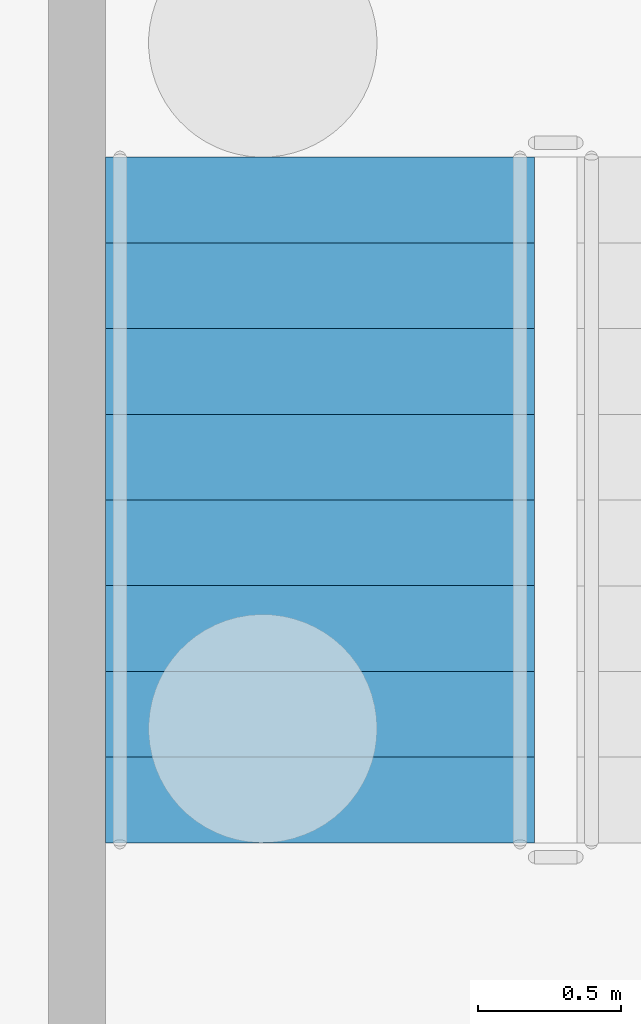
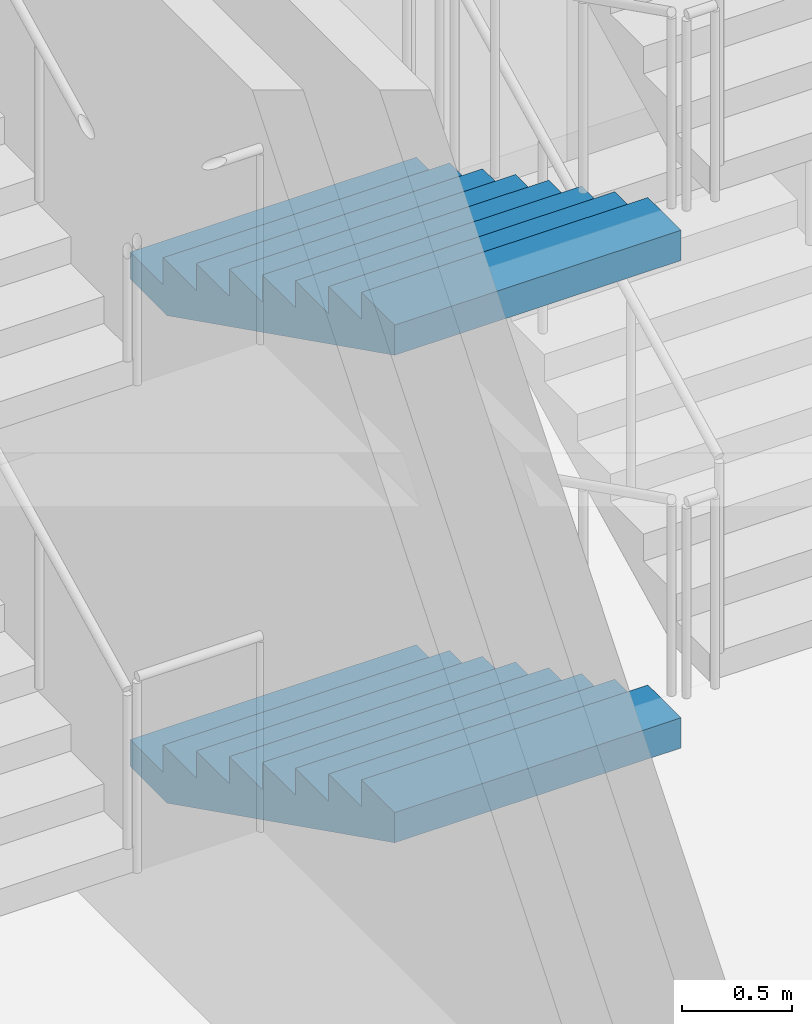
# One storey, part 68 of 129: 2 stair flights, 1 element without a shape of its own.
"""IFC4 building model written with IfcOpenShell, lengths in metres."""

from ifc_helpers import new_model, si_unit, direction, frame, origin, place, context, subcontext, project, spatial, faceted_brep, material, type_object, element, aggregate, save


model = new_model("IFC4")

# Units and contexts
model_context = context("Model", 3, precision=1e-05, world=origin(), true_north=direction((0.0, 1.0)))
body_context = subcontext(model_context, "Body", "Model", "MODEL_VIEW")
ifc_project = project(units=[si_unit("LENGTHUNIT", "METRE"), si_unit("AREAUNIT", "SQUARE_METRE"), si_unit("VOLUMEUNIT", "CUBIC_METRE"), si_unit("PLANEANGLEUNIT", "RADIAN"), si_unit("MASSUNIT", "GRAM", prefix="KILO")], contexts=[model_context])

# Site, building, storey
site_placement = place(None, origin())
site = spatial("IfcSite", under=ifc_project, at=site_placement, CompositionType="ELEMENT")
building_placement = place(site_placement, origin())
building = spatial("IfcBuilding", under=site, at=building_placement, Name="Kiln Court Media Centre", CompositionType="ELEMENT")
storey_placement = place(building_placement, origin())
storey = spatial("IfcBuildingStorey", under=building, at=storey_placement, Name="L00", CompositionType="ELEMENT", Elevation=0.0)

# Stair, stair flights
ifc_material_1 = material(Name="Concrete C40/50", Category="concrete")
stair_type = type_object("IfcStairType", Name="Concrete C40/50 dog-leg stair 1500 wide, 150 riser", PredefinedType="HALF_TURN_STAIR", material=ifc_material_1)
stair_placement = place(storey_placement, origin())
stair = element("IfcStair", 1, at=stair_placement, inside=storey, type_object=stair_type, Name="ST-04 L00", PredefinedType="HALF_TURN_STAIR")
ifc_material_2 = material(Name="Concrete C40/50", Category="concrete")
stair_flight_type = type_object("IfcStairFlightType", Name="Concrete C40/50 stair flight 1500 wide, 150 riser, 300 going", PredefinedType="STRAIGHT", material=ifc_material_2)
stair_flight_1_placement = place(storey_placement, frame((34.85009765625, 6.300048828125, 0.0), z_axis=(0.0, 0.0, 1.0), x_axis=(0.0, -1.0, 0.0)))
stair_flight_1 = element("IfcStairFlight", 2, at=stair_flight_1_placement, type_object=stair_flight_type, Name="L00-ST-5003 flight 5012", NumberOfRisers=9, NumberOfTreads=8, PredefinedType="STRAIGHT", RiserHeight=0.15, TreadLength=0.3, context=body_context, shape_type="Brep", body=[
    faceted_brep([(0.335205078125, -0.75, 0.0), (2.39990234375, -0.75, 1.032470703125), (2.39990234375, -0.75, 1.199951171875), (2.10009765625, -0.75, 1.199951171875), (2.10009765625, -0.75, 1.050048828125), (1.800048828125, -0.75, 1.050048828125), (1.800048828125, -0.75, 0.89990234375), (1.5, -0.75, 0.89990234375), (1.5, -0.75, 0.75), (1.199951171875, -0.75, 0.75), (1.199951171875, -0.75, 0.60009765625), (0.89990234375, -0.75, 0.60009765625), (0.89990234375, -0.75, 0.449951171875), (0.60009765625, -0.75, 0.449951171875), (0.60009765625, -0.75, 0.300048828125), (0.300048828125, -0.75, 0.300048828125), (0.300048828125, -0.75, 0.14990234375), (0.0, -0.75, 0.14990234375), (0.0, -0.75, 0.0), (0.0, 0.75, 0.0), (0.0, 0.75, 0.14990234375), (0.300048828125, 0.75, 0.14990234375), (0.300048828125, 0.75, 0.300048828125), (0.60009765625, 0.75, 0.300048828125), (0.60009765625, 0.75, 0.449951171875), (0.89990234375, 0.75, 0.449951171875), (0.89990234375, 0.75, 0.60009765625), (1.199951171875, 0.75, 0.60009765625), (1.199951171875, 0.75, 0.75), (1.5, 0.75, 0.75), (1.5, 0.75, 0.89990234375), (1.800048828125, 0.75, 0.89990234375), (1.800048828125, 0.75, 1.050048828125), (2.10009765625, 0.75, 1.050048828125), (2.10009765625, 0.75, 1.199951171875), (2.39990234375, 0.75, 1.199951171875), (2.39990234375, 0.75, 1.032470703125), (0.335205078125, 0.75, 0.0), (2.39990234375, 0.10009765625, 1.032470703125), (0.335205078125, 0.10009765625, 0.0), (2.39990234375, 0.080078125, 1.032470703125), (0.335205078125, 0.080078125, 0.0), (2.39990234375, 0.06005859375, 1.032470703125), (0.335205078125, 0.06005859375, 0.0), (2.39990234375, 0.0400390625, 1.032470703125), (0.335205078125, 0.0400390625, 0.0), (2.39990234375, 0.02001953125, 1.032470703125), (0.335205078125, 0.02001953125, 0.0), (2.39990234375, 0.0, 1.032470703125), (0.335205078125, 0.0, 0.0), (2.39990234375, -0.02001953125, 1.032470703125), (0.335205078125, -0.02001953125, 0.0), (2.39990234375, -0.0400390625, 1.032470703125), (0.335205078125, -0.0400390625, 0.0), (2.39990234375, -0.06005859375, 1.032470703125), (0.335205078125, -0.06005859375, 0.0), (2.39990234375, -0.080078125, 1.032470703125), (0.335205078125, -0.080078125, 0.0), (2.39990234375, -0.10009765625, 1.032470703125), (0.335205078125, -0.10009765625, 0.0), (2.39990234375, 0.10009765625, 1.199951171875), (2.39990234375, 0.080078125, 1.199951171875), (2.39990234375, 0.06005859375, 1.199951171875), (2.39990234375, 0.0400390625, 1.199951171875), (2.39990234375, 0.02001953125, 1.199951171875), (2.39990234375, 0.0, 1.199951171875), (2.39990234375, -0.02001953125, 1.199951171875), (2.39990234375, -0.0400390625, 1.199951171875), (2.39990234375, -0.06005859375, 1.199951171875), (2.39990234375, -0.080078125, 1.199951171875), (2.39990234375, -0.10009765625, 1.199951171875), (2.10009765625, 0.10009765625, 1.199951171875), (2.10009765625, 0.080078125, 1.199951171875), (2.10009765625, 0.06005859375, 1.199951171875), (2.10009765625, 0.0400390625, 1.199951171875), (2.10009765625, 0.02001953125, 1.199951171875), (2.10009765625, 0.0, 1.199951171875), (2.10009765625, -0.02001953125, 1.199951171875), (2.10009765625, -0.0400390625, 1.199951171875), (2.10009765625, -0.06005859375, 1.199951171875), (2.10009765625, -0.080078125, 1.199951171875), (2.10009765625, -0.10009765625, 1.199951171875), (2.10009765625, 0.10009765625, 1.050048828125), (2.10009765625, 0.080078125, 1.050048828125), (2.10009765625, 0.06005859375, 1.050048828125), (2.10009765625, 0.0400390625, 1.050048828125), (2.10009765625, 0.02001953125, 1.050048828125), (2.10009765625, 0.0, 1.050048828125), (2.10009765625, -0.02001953125, 1.050048828125), (2.10009765625, -0.0400390625, 1.050048828125), (2.10009765625, -0.06005859375, 1.050048828125), (2.10009765625, -0.080078125, 1.050048828125), (2.10009765625, -0.10009765625, 1.050048828125), (1.800048828125, 0.10009765625, 1.050048828125), (1.800048828125, 0.080078125, 1.050048828125), (1.800048828125, 0.06005859375, 1.050048828125), (1.800048828125, 0.0400390625, 1.050048828125), (1.800048828125, 0.02001953125, 1.050048828125), (1.800048828125, 0.0, 1.050048828125), (1.800048828125, -0.02001953125, 1.050048828125), (1.800048828125, -0.0400390625, 1.050048828125), (1.800048828125, -0.06005859375, 1.050048828125), (1.800048828125, -0.080078125, 1.050048828125), (1.800048828125, -0.10009765625, 1.050048828125), (1.800048828125, 0.10009765625, 0.89990234375), (1.800048828125, 0.080078125, 0.89990234375), (1.800048828125, 0.06005859375, 0.89990234375), (1.800048828125, 0.0400390625, 0.89990234375), (1.800048828125, 0.02001953125, 0.89990234375), (1.800048828125, 0.0, 0.89990234375), (1.800048828125, -0.02001953125, 0.89990234375), (1.800048828125, -0.0400390625, 0.89990234375), (1.800048828125, -0.06005859375, 0.89990234375), (1.800048828125, -0.080078125, 0.89990234375), (1.800048828125, -0.10009765625, 0.89990234375), (1.5, 0.10009765625, 0.89990234375), (1.5, 0.080078125, 0.89990234375), (1.5, 0.06005859375, 0.89990234375), (1.5, 0.0400390625, 0.89990234375), (1.5, 0.02001953125, 0.89990234375), (1.5, 0.0, 0.89990234375), (1.5, -0.02001953125, 0.89990234375), (1.5, -0.0400390625, 0.89990234375), (1.5, -0.06005859375, 0.89990234375), (1.5, -0.080078125, 0.89990234375), (1.5, -0.10009765625, 0.89990234375), (1.5, 0.10009765625, 0.75), (1.5, 0.080078125, 0.75), (1.5, 0.06005859375, 0.75), (1.5, 0.0400390625, 0.75), (1.5, 0.02001953125, 0.75), (1.5, 0.0, 0.75), (1.5, -0.02001953125, 0.75), (1.5, -0.0400390625, 0.75), (1.5, -0.06005859375, 0.75), (1.5, -0.080078125, 0.75), (1.5, -0.10009765625, 0.75), (1.199951171875, 0.10009765625, 0.75), (1.199951171875, 0.080078125, 0.75), (1.199951171875, 0.06005859375, 0.75), (1.199951171875, 0.0400390625, 0.75), (1.199951171875, 0.02001953125, 0.75), (1.199951171875, 0.0, 0.75), (1.199951171875, -0.02001953125, 0.75), (1.199951171875, -0.0400390625, 0.75), (1.199951171875, -0.06005859375, 0.75), (1.199951171875, -0.080078125, 0.75), (1.199951171875, -0.10009765625, 0.75), (1.199951171875, 0.10009765625, 0.60009765625), (1.199951171875, 0.080078125, 0.60009765625), (1.199951171875, 0.06005859375, 0.60009765625), (1.199951171875, 0.0400390625, 0.60009765625), (1.199951171875, 0.02001953125, 0.60009765625), (1.199951171875, 0.0, 0.60009765625), (1.199951171875, -0.02001953125, 0.60009765625), (1.199951171875, -0.0400390625, 0.60009765625), (1.199951171875, -0.06005859375, 0.60009765625), (1.199951171875, -0.080078125, 0.60009765625), (1.199951171875, -0.10009765625, 0.60009765625), (0.89990234375, 0.10009765625, 0.60009765625), (0.89990234375, 0.080078125, 0.60009765625), (0.89990234375, 0.06005859375, 0.60009765625), (0.89990234375, 0.0400390625, 0.60009765625), (0.89990234375, 0.02001953125, 0.60009765625), (0.89990234375, 0.0, 0.60009765625), (0.89990234375, -0.02001953125, 0.60009765625), (0.89990234375, -0.0400390625, 0.60009765625), (0.89990234375, -0.06005859375, 0.60009765625), (0.89990234375, -0.080078125, 0.60009765625), (0.89990234375, -0.10009765625, 0.60009765625), (0.89990234375, 0.10009765625, 0.449951171875), (0.89990234375, 0.080078125, 0.449951171875), (0.89990234375, 0.06005859375, 0.449951171875), (0.89990234375, 0.0400390625, 0.449951171875), (0.89990234375, 0.02001953125, 0.449951171875), (0.89990234375, 0.0, 0.449951171875), (0.89990234375, -0.02001953125, 0.449951171875), (0.89990234375, -0.0400390625, 0.449951171875), (0.89990234375, -0.06005859375, 0.449951171875), (0.89990234375, -0.080078125, 0.449951171875), (0.89990234375, -0.10009765625, 0.449951171875), (0.60009765625, 0.10009765625, 0.449951171875), (0.60009765625, 0.080078125, 0.449951171875), (0.60009765625, 0.06005859375, 0.449951171875), (0.60009765625, 0.0400390625, 0.449951171875), (0.60009765625, 0.02001953125, 0.449951171875), (0.60009765625, 0.0, 0.449951171875), (0.60009765625, -0.02001953125, 0.449951171875), (0.60009765625, -0.0400390625, 0.449951171875), (0.60009765625, -0.06005859375, 0.449951171875), (0.60009765625, -0.080078125, 0.449951171875), (0.60009765625, -0.10009765625, 0.449951171875), (0.60009765625, 0.10009765625, 0.300048828125), (0.60009765625, 0.080078125, 0.300048828125), (0.60009765625, 0.06005859375, 0.300048828125), (0.60009765625, 0.0400390625, 0.300048828125), (0.60009765625, 0.02001953125, 0.300048828125), (0.60009765625, 0.0, 0.300048828125), (0.60009765625, -0.02001953125, 0.300048828125), (0.60009765625, -0.0400390625, 0.300048828125), (0.60009765625, -0.06005859375, 0.300048828125), (0.60009765625, -0.080078125, 0.300048828125), (0.60009765625, -0.10009765625, 0.300048828125), (0.300048828125, 0.10009765625, 0.300048828125), (0.300048828125, 0.080078125, 0.300048828125), (0.300048828125, 0.06005859375, 0.300048828125), (0.300048828125, 0.0400390625, 0.300048828125), (0.300048828125, 0.02001953125, 0.300048828125), (0.300048828125, 0.0, 0.300048828125), (0.300048828125, -0.02001953125, 0.300048828125), (0.300048828125, -0.0400390625, 0.300048828125), (0.300048828125, -0.06005859375, 0.300048828125), (0.300048828125, -0.080078125, 0.300048828125), (0.300048828125, -0.10009765625, 0.300048828125), (0.300048828125, 0.10009765625, 0.14990234375), (0.300048828125, 0.080078125, 0.14990234375), (0.300048828125, 0.06005859375, 0.14990234375), (0.300048828125, 0.0400390625, 0.14990234375), (0.300048828125, 0.02001953125, 0.14990234375), (0.300048828125, 0.0, 0.14990234375), (0.300048828125, -0.02001953125, 0.14990234375), (0.300048828125, -0.0400390625, 0.14990234375), (0.300048828125, -0.06005859375, 0.14990234375), (0.300048828125, -0.080078125, 0.14990234375), (0.300048828125, -0.10009765625, 0.14990234375), (0.0, 0.10009765625, 0.14990234375), (0.0, 0.080078125, 0.14990234375), (0.0, 0.06005859375, 0.14990234375), (0.0, 0.0400390625, 0.14990234375), (0.0, 0.02001953125, 0.14990234375), (0.0, 0.0, 0.14990234375), (0.0, -0.02001953125, 0.14990234375), (0.0, -0.0400390625, 0.14990234375), (0.0, -0.06005859375, 0.14990234375), (0.0, -0.080078125, 0.14990234375), (0.0, -0.10009765625, 0.14990234375), (0.0, 0.10009765625, 0.0), (0.0, 0.080078125, 0.0), (0.0, 0.06005859375, 0.0), (0.0, 0.0400390625, 0.0), (0.0, 0.02001953125, 0.0), (0.0, 0.0, 0.0), (0.0, -0.02001953125, 0.0), (0.0, -0.0400390625, 0.0), (0.0, -0.06005859375, 0.0), (0.0, -0.080078125, 0.0), (0.0, -0.10009765625, 0.0)], [[[0, 1, 2, 3, 4, 5, 6, 7, 8, 9, 10, 11, 12, 13, 14, 15, 16, 17, 18]], [[19, 20, 21, 22, 23, 24, 25, 26, 27, 28, 29, 30, 31, 32, 33, 34, 35, 36, 37]], [[37, 36, 38, 39]], [[39, 38, 40, 41]], [[41, 40, 42, 43]], [[43, 42, 44, 45]], [[45, 44, 46, 47]], [[47, 46, 48, 49]], [[49, 48, 50, 51]], [[51, 50, 52, 53]], [[53, 52, 54, 55]], [[55, 54, 56, 57]], [[57, 56, 58, 59]], [[59, 58, 1, 0]], [[36, 35, 60, 38]], [[38, 60, 61, 40]], [[40, 61, 62, 42]], [[42, 62, 63, 44]], [[44, 63, 64, 46]], [[46, 64, 65, 48]], [[48, 65, 66, 50]], [[50, 66, 67, 52]], [[52, 67, 68, 54]], [[54, 68, 69, 56]], [[56, 69, 70, 58]], [[58, 70, 2, 1]], [[35, 34, 71, 60]], [[60, 71, 72, 61]], [[61, 72, 73, 62]], [[62, 73, 74, 63]], [[63, 74, 75, 64]], [[64, 75, 76, 65]], [[65, 76, 77, 66]], [[66, 77, 78, 67]], [[67, 78, 79, 68]], [[68, 79, 80, 69]], [[69, 80, 81, 70]], [[70, 81, 3, 2]], [[34, 33, 82, 71]], [[71, 82, 83, 72]], [[72, 83, 84, 73]], [[73, 84, 85, 74]], [[74, 85, 86, 75]], [[75, 86, 87, 76]], [[76, 87, 88, 77]], [[77, 88, 89, 78]], [[78, 89, 90, 79]], [[79, 90, 91, 80]], [[80, 91, 92, 81]], [[81, 92, 4, 3]], [[33, 32, 93, 82]], [[82, 93, 94, 83]], [[83, 94, 95, 84]], [[84, 95, 96, 85]], [[85, 96, 97, 86]], [[86, 97, 98, 87]], [[87, 98, 99, 88]], [[88, 99, 100, 89]], [[89, 100, 101, 90]], [[90, 101, 102, 91]], [[91, 102, 103, 92]], [[92, 103, 5, 4]], [[32, 31, 104, 93]], [[93, 104, 105, 94]], [[94, 105, 106, 95]], [[95, 106, 107, 96]], [[96, 107, 108, 97]], [[97, 108, 109, 98]], [[98, 109, 110, 99]], [[99, 110, 111, 100]], [[100, 111, 112, 101]], [[101, 112, 113, 102]], [[102, 113, 114, 103]], [[103, 114, 6, 5]], [[31, 30, 115, 104]], [[104, 115, 116, 105]], [[105, 116, 117, 106]], [[106, 117, 118, 107]], [[107, 118, 119, 108]], [[108, 119, 120, 109]], [[109, 120, 121, 110]], [[110, 121, 122, 111]], [[111, 122, 123, 112]], [[112, 123, 124, 113]], [[113, 124, 125, 114]], [[114, 125, 7, 6]], [[30, 29, 126, 115]], [[115, 126, 127, 116]], [[116, 127, 128, 117]], [[117, 128, 129, 118]], [[118, 129, 130, 119]], [[119, 130, 131, 120]], [[120, 131, 132, 121]], [[121, 132, 133, 122]], [[122, 133, 134, 123]], [[123, 134, 135, 124]], [[124, 135, 136, 125]], [[125, 136, 8, 7]], [[29, 28, 137, 126]], [[126, 137, 138, 127]], [[127, 138, 139, 128]], [[128, 139, 140, 129]], [[129, 140, 141, 130]], [[130, 141, 142, 131]], [[131, 142, 143, 132]], [[132, 143, 144, 133]], [[133, 144, 145, 134]], [[134, 145, 146, 135]], [[135, 146, 147, 136]], [[136, 147, 9, 8]], [[28, 27, 148, 137]], [[137, 148, 149, 138]], [[138, 149, 150, 139]], [[139, 150, 151, 140]], [[140, 151, 152, 141]], [[141, 152, 153, 142]], [[142, 153, 154, 143]], [[143, 154, 155, 144]], [[144, 155, 156, 145]], [[145, 156, 157, 146]], [[146, 157, 158, 147]], [[147, 158, 10, 9]], [[27, 26, 159, 148]], [[148, 159, 160, 149]], [[149, 160, 161, 150]], [[150, 161, 162, 151]], [[151, 162, 163, 152]], [[152, 163, 164, 153]], [[153, 164, 165, 154]], [[154, 165, 166, 155]], [[155, 166, 167, 156]], [[156, 167, 168, 157]], [[157, 168, 169, 158]], [[158, 169, 11, 10]], [[26, 25, 170, 159]], [[159, 170, 171, 160]], [[160, 171, 172, 161]], [[161, 172, 173, 162]], [[162, 173, 174, 163]], [[163, 174, 175, 164]], [[164, 175, 176, 165]], [[165, 176, 177, 166]], [[166, 177, 178, 167]], [[167, 178, 179, 168]], [[168, 179, 180, 169]], [[169, 180, 12, 11]], [[25, 24, 181, 170]], [[170, 181, 182, 171]], [[171, 182, 183, 172]], [[172, 183, 184, 173]], [[173, 184, 185, 174]], [[174, 185, 186, 175]], [[175, 186, 187, 176]], [[176, 187, 188, 177]], [[177, 188, 189, 178]], [[178, 189, 190, 179]], [[179, 190, 191, 180]], [[180, 191, 13, 12]], [[24, 23, 192, 181]], [[181, 192, 193, 182]], [[182, 193, 194, 183]], [[183, 194, 195, 184]], [[184, 195, 196, 185]], [[185, 196, 197, 186]], [[186, 197, 198, 187]], [[187, 198, 199, 188]], [[188, 199, 200, 189]], [[189, 200, 201, 190]], [[190, 201, 202, 191]], [[191, 202, 14, 13]], [[23, 22, 203, 192]], [[192, 203, 204, 193]], [[193, 204, 205, 194]], [[194, 205, 206, 195]], [[195, 206, 207, 196]], [[196, 207, 208, 197]], [[197, 208, 209, 198]], [[198, 209, 210, 199]], [[199, 210, 211, 200]], [[200, 211, 212, 201]], [[201, 212, 213, 202]], [[202, 213, 15, 14]], [[22, 21, 214, 203]], [[203, 214, 215, 204]], [[204, 215, 216, 205]], [[205, 216, 217, 206]], [[206, 217, 218, 207]], [[207, 218, 219, 208]], [[208, 219, 220, 209]], [[209, 220, 221, 210]], [[210, 221, 222, 211]], [[211, 222, 223, 212]], [[212, 223, 224, 213]], [[213, 224, 16, 15]], [[21, 20, 225, 214]], [[214, 225, 226, 215]], [[215, 226, 227, 216]], [[216, 227, 228, 217]], [[217, 228, 229, 218]], [[218, 229, 230, 219]], [[219, 230, 231, 220]], [[220, 231, 232, 221]], [[221, 232, 233, 222]], [[222, 233, 234, 223]], [[223, 234, 235, 224]], [[224, 235, 17, 16]], [[20, 19, 236, 225]], [[225, 236, 237, 226]], [[226, 237, 238, 227]], [[227, 238, 239, 228]], [[228, 239, 240, 229]], [[229, 240, 241, 230]], [[230, 241, 242, 231]], [[231, 242, 243, 232]], [[232, 243, 244, 233]], [[233, 244, 245, 234]], [[234, 245, 246, 235]], [[235, 246, 18, 17]], [[19, 37, 39, 236]], [[236, 39, 41, 237]], [[237, 41, 43, 238]], [[238, 43, 45, 239]], [[239, 45, 47, 240]], [[240, 47, 49, 241]], [[241, 49, 51, 242]], [[242, 51, 53, 243]], [[243, 53, 55, 244]], [[244, 55, 57, 245]], [[245, 57, 59, 246]], [[246, 59, 0, 18]]]),
])
stair_flight_2_placement = place(storey_placement, frame((34.85009765625, 6.300048828125, 2.699951171875), z_axis=(0.0, 0.0, 1.0), x_axis=(0.0, -1.0, 0.0)))
stair_flight_2 = element("IfcStairFlight", 3, at=stair_flight_2_placement, type_object=stair_flight_type, Name="L00-ST-5003 flight 5014", NumberOfRisers=9, NumberOfTreads=8, PredefinedType="STRAIGHT", RiserHeight=0.15, TreadLength=0.3, context=body_context, shape_type="Brep", body=[
    faceted_brep([(0.335205078125, -0.75, 0.0), (2.39990234375, -0.75, 1.032470703125), (2.39990234375, -0.75, 1.199951171875), (2.10009765625, -0.75, 1.199951171875), (2.10009765625, -0.75, 1.050048828125), (1.800048828125, -0.75, 1.050048828125), (1.800048828125, -0.75, 0.89990234375), (1.5, -0.75, 0.89990234375), (1.5, -0.75, 0.75), (1.199951171875, -0.75, 0.75), (1.199951171875, -0.75, 0.60009765625), (0.89990234375, -0.75, 0.60009765625), (0.89990234375, -0.75, 0.449951171875), (0.60009765625, -0.75, 0.449951171875), (0.60009765625, -0.75, 0.300048828125), (0.300048828125, -0.75, 0.300048828125), (0.300048828125, -0.75, 0.14990234375), (0.0, -0.75, 0.14990234375), (0.0, -0.75, 0.0), (0.0, 0.75, 0.0), (0.0, 0.75, 0.14990234375), (0.300048828125, 0.75, 0.14990234375), (0.300048828125, 0.75, 0.300048828125), (0.60009765625, 0.75, 0.300048828125), (0.60009765625, 0.75, 0.449951171875), (0.89990234375, 0.75, 0.449951171875), (0.89990234375, 0.75, 0.60009765625), (1.199951171875, 0.75, 0.60009765625), (1.199951171875, 0.75, 0.75), (1.5, 0.75, 0.75), (1.5, 0.75, 0.89990234375), (1.800048828125, 0.75, 0.89990234375), (1.800048828125, 0.75, 1.050048828125), (2.10009765625, 0.75, 1.050048828125), (2.10009765625, 0.75, 1.199951171875), (2.39990234375, 0.75, 1.199951171875), (2.39990234375, 0.75, 1.032470703125), (0.335205078125, 0.75, 0.0), (2.39990234375, 0.10009765625, 1.032470703125), (0.335205078125, 0.10009765625, 0.0), (2.39990234375, 0.080078125, 1.032470703125), (0.335205078125, 0.080078125, 0.0), (2.39990234375, 0.06005859375, 1.032470703125), (0.335205078125, 0.06005859375, 0.0), (2.39990234375, 0.0400390625, 1.032470703125), (0.335205078125, 0.0400390625, 0.0), (2.39990234375, 0.02001953125, 1.032470703125), (0.335205078125, 0.02001953125, 0.0), (2.39990234375, 0.0, 1.032470703125), (0.335205078125, 0.0, 0.0), (2.39990234375, -0.02001953125, 1.032470703125), (0.335205078125, -0.02001953125, 0.0), (2.39990234375, -0.0400390625, 1.032470703125), (0.335205078125, -0.0400390625, 0.0), (2.39990234375, -0.06005859375, 1.032470703125), (0.335205078125, -0.06005859375, 0.0), (2.39990234375, -0.080078125, 1.032470703125), (0.335205078125, -0.080078125, 0.0), (2.39990234375, -0.10009765625, 1.032470703125), (0.335205078125, -0.10009765625, 0.0), (2.39990234375, 0.10009765625, 1.199951171875), (2.39990234375, 0.080078125, 1.199951171875), (2.39990234375, 0.06005859375, 1.199951171875), (2.39990234375, 0.0400390625, 1.199951171875), (2.39990234375, 0.02001953125, 1.199951171875), (2.39990234375, 0.0, 1.199951171875), (2.39990234375, -0.02001953125, 1.199951171875), (2.39990234375, -0.0400390625, 1.199951171875), (2.39990234375, -0.06005859375, 1.199951171875), (2.39990234375, -0.080078125, 1.199951171875), (2.39990234375, -0.10009765625, 1.199951171875), (2.10009765625, 0.10009765625, 1.199951171875), (2.10009765625, 0.080078125, 1.199951171875), (2.10009765625, 0.06005859375, 1.199951171875), (2.10009765625, 0.0400390625, 1.199951171875), (2.10009765625, 0.02001953125, 1.199951171875), (2.10009765625, 0.0, 1.199951171875), (2.10009765625, -0.02001953125, 1.199951171875), (2.10009765625, -0.0400390625, 1.199951171875), (2.10009765625, -0.06005859375, 1.199951171875), (2.10009765625, -0.080078125, 1.199951171875), (2.10009765625, -0.10009765625, 1.199951171875), (2.10009765625, 0.10009765625, 1.050048828125), (2.10009765625, 0.080078125, 1.050048828125), (2.10009765625, 0.06005859375, 1.050048828125), (2.10009765625, 0.0400390625, 1.050048828125), (2.10009765625, 0.02001953125, 1.050048828125), (2.10009765625, 0.0, 1.050048828125), (2.10009765625, -0.02001953125, 1.050048828125), (2.10009765625, -0.0400390625, 1.050048828125), (2.10009765625, -0.06005859375, 1.050048828125), (2.10009765625, -0.080078125, 1.050048828125), (2.10009765625, -0.10009765625, 1.050048828125), (1.800048828125, 0.10009765625, 1.050048828125), (1.800048828125, 0.080078125, 1.050048828125), (1.800048828125, 0.06005859375, 1.050048828125), (1.800048828125, 0.0400390625, 1.050048828125), (1.800048828125, 0.02001953125, 1.050048828125), (1.800048828125, 0.0, 1.050048828125), (1.800048828125, -0.02001953125, 1.050048828125), (1.800048828125, -0.0400390625, 1.050048828125), (1.800048828125, -0.06005859375, 1.050048828125), (1.800048828125, -0.080078125, 1.050048828125), (1.800048828125, -0.10009765625, 1.050048828125), (1.800048828125, 0.10009765625, 0.89990234375), (1.800048828125, 0.080078125, 0.89990234375), (1.800048828125, 0.06005859375, 0.89990234375), (1.800048828125, 0.0400390625, 0.89990234375), (1.800048828125, 0.02001953125, 0.89990234375), (1.800048828125, 0.0, 0.89990234375), (1.800048828125, -0.02001953125, 0.89990234375), (1.800048828125, -0.0400390625, 0.89990234375), (1.800048828125, -0.06005859375, 0.89990234375), (1.800048828125, -0.080078125, 0.89990234375), (1.800048828125, -0.10009765625, 0.89990234375), (1.5, 0.10009765625, 0.89990234375), (1.5, 0.080078125, 0.89990234375), (1.5, 0.06005859375, 0.89990234375), (1.5, 0.0400390625, 0.89990234375), (1.5, 0.02001953125, 0.89990234375), (1.5, 0.0, 0.89990234375), (1.5, -0.02001953125, 0.89990234375), (1.5, -0.0400390625, 0.89990234375), (1.5, -0.06005859375, 0.89990234375), (1.5, -0.080078125, 0.89990234375), (1.5, -0.10009765625, 0.89990234375), (1.5, 0.10009765625, 0.75), (1.5, 0.080078125, 0.75), (1.5, 0.06005859375, 0.75), (1.5, 0.0400390625, 0.75), (1.5, 0.02001953125, 0.75), (1.5, 0.0, 0.75), (1.5, -0.02001953125, 0.75), (1.5, -0.0400390625, 0.75), (1.5, -0.06005859375, 0.75), (1.5, -0.080078125, 0.75), (1.5, -0.10009765625, 0.75), (1.199951171875, 0.10009765625, 0.75), (1.199951171875, 0.080078125, 0.75), (1.199951171875, 0.06005859375, 0.75), (1.199951171875, 0.0400390625, 0.75), (1.199951171875, 0.02001953125, 0.75), (1.199951171875, 0.0, 0.75), (1.199951171875, -0.02001953125, 0.75), (1.199951171875, -0.0400390625, 0.75), (1.199951171875, -0.06005859375, 0.75), (1.199951171875, -0.080078125, 0.75), (1.199951171875, -0.10009765625, 0.75), (1.199951171875, 0.10009765625, 0.60009765625), (1.199951171875, 0.080078125, 0.60009765625), (1.199951171875, 0.06005859375, 0.60009765625), (1.199951171875, 0.0400390625, 0.60009765625), (1.199951171875, 0.02001953125, 0.60009765625), (1.199951171875, 0.0, 0.60009765625), (1.199951171875, -0.02001953125, 0.60009765625), (1.199951171875, -0.0400390625, 0.60009765625), (1.199951171875, -0.06005859375, 0.60009765625), (1.199951171875, -0.080078125, 0.60009765625), (1.199951171875, -0.10009765625, 0.60009765625), (0.89990234375, 0.10009765625, 0.60009765625), (0.89990234375, 0.080078125, 0.60009765625), (0.89990234375, 0.06005859375, 0.60009765625), (0.89990234375, 0.0400390625, 0.60009765625), (0.89990234375, 0.02001953125, 0.60009765625), (0.89990234375, 0.0, 0.60009765625), (0.89990234375, -0.02001953125, 0.60009765625), (0.89990234375, -0.0400390625, 0.60009765625), (0.89990234375, -0.06005859375, 0.60009765625), (0.89990234375, -0.080078125, 0.60009765625), (0.89990234375, -0.10009765625, 0.60009765625), (0.89990234375, 0.10009765625, 0.449951171875), (0.89990234375, 0.080078125, 0.449951171875), (0.89990234375, 0.06005859375, 0.449951171875), (0.89990234375, 0.0400390625, 0.449951171875), (0.89990234375, 0.02001953125, 0.449951171875), (0.89990234375, 0.0, 0.449951171875), (0.89990234375, -0.02001953125, 0.449951171875), (0.89990234375, -0.0400390625, 0.449951171875), (0.89990234375, -0.06005859375, 0.449951171875), (0.89990234375, -0.080078125, 0.449951171875), (0.89990234375, -0.10009765625, 0.449951171875), (0.60009765625, 0.10009765625, 0.449951171875), (0.60009765625, 0.080078125, 0.449951171875), (0.60009765625, 0.06005859375, 0.449951171875), (0.60009765625, 0.0400390625, 0.449951171875), (0.60009765625, 0.02001953125, 0.449951171875), (0.60009765625, 0.0, 0.449951171875), (0.60009765625, -0.02001953125, 0.449951171875), (0.60009765625, -0.0400390625, 0.449951171875), (0.60009765625, -0.06005859375, 0.449951171875), (0.60009765625, -0.080078125, 0.449951171875), (0.60009765625, -0.10009765625, 0.449951171875), (0.60009765625, 0.10009765625, 0.300048828125), (0.60009765625, 0.080078125, 0.300048828125), (0.60009765625, 0.06005859375, 0.300048828125), (0.60009765625, 0.0400390625, 0.300048828125), (0.60009765625, 0.02001953125, 0.300048828125), (0.60009765625, 0.0, 0.300048828125), (0.60009765625, -0.02001953125, 0.300048828125), (0.60009765625, -0.0400390625, 0.300048828125), (0.60009765625, -0.06005859375, 0.300048828125), (0.60009765625, -0.080078125, 0.300048828125), (0.60009765625, -0.10009765625, 0.300048828125), (0.300048828125, 0.10009765625, 0.300048828125), (0.300048828125, 0.080078125, 0.300048828125), (0.300048828125, 0.06005859375, 0.300048828125), (0.300048828125, 0.0400390625, 0.300048828125), (0.300048828125, 0.02001953125, 0.300048828125), (0.300048828125, 0.0, 0.300048828125), (0.300048828125, -0.02001953125, 0.300048828125), (0.300048828125, -0.0400390625, 0.300048828125), (0.300048828125, -0.06005859375, 0.300048828125), (0.300048828125, -0.080078125, 0.300048828125), (0.300048828125, -0.10009765625, 0.300048828125), (0.300048828125, 0.10009765625, 0.14990234375), (0.300048828125, 0.080078125, 0.14990234375), (0.300048828125, 0.06005859375, 0.14990234375), (0.300048828125, 0.0400390625, 0.14990234375), (0.300048828125, 0.02001953125, 0.14990234375), (0.300048828125, 0.0, 0.14990234375), (0.300048828125, -0.02001953125, 0.14990234375), (0.300048828125, -0.0400390625, 0.14990234375), (0.300048828125, -0.06005859375, 0.14990234375), (0.300048828125, -0.080078125, 0.14990234375), (0.300048828125, -0.10009765625, 0.14990234375), (0.0, 0.10009765625, 0.14990234375), (0.0, 0.080078125, 0.14990234375), (0.0, 0.06005859375, 0.14990234375), (0.0, 0.0400390625, 0.14990234375), (0.0, 0.02001953125, 0.14990234375), (0.0, 0.0, 0.14990234375), (0.0, -0.02001953125, 0.14990234375), (0.0, -0.0400390625, 0.14990234375), (0.0, -0.06005859375, 0.14990234375), (0.0, -0.080078125, 0.14990234375), (0.0, -0.10009765625, 0.14990234375), (0.0, 0.10009765625, 0.0), (0.0, 0.080078125, 0.0), (0.0, 0.06005859375, 0.0), (0.0, 0.0400390625, 0.0), (0.0, 0.02001953125, 0.0), (0.0, 0.0, 0.0), (0.0, -0.02001953125, 0.0), (0.0, -0.0400390625, 0.0), (0.0, -0.06005859375, 0.0), (0.0, -0.080078125, 0.0), (0.0, -0.10009765625, 0.0)], [[[0, 1, 2, 3, 4, 5, 6, 7, 8, 9, 10, 11, 12, 13, 14, 15, 16, 17, 18]], [[19, 20, 21, 22, 23, 24, 25, 26, 27, 28, 29, 30, 31, 32, 33, 34, 35, 36, 37]], [[37, 36, 38, 39]], [[39, 38, 40, 41]], [[41, 40, 42, 43]], [[43, 42, 44, 45]], [[45, 44, 46, 47]], [[47, 46, 48, 49]], [[49, 48, 50, 51]], [[51, 50, 52, 53]], [[53, 52, 54, 55]], [[55, 54, 56, 57]], [[57, 56, 58, 59]], [[59, 58, 1, 0]], [[36, 35, 60, 38]], [[38, 60, 61, 40]], [[40, 61, 62, 42]], [[42, 62, 63, 44]], [[44, 63, 64, 46]], [[46, 64, 65, 48]], [[48, 65, 66, 50]], [[50, 66, 67, 52]], [[52, 67, 68, 54]], [[54, 68, 69, 56]], [[56, 69, 70, 58]], [[58, 70, 2, 1]], [[35, 34, 71, 60]], [[60, 71, 72, 61]], [[61, 72, 73, 62]], [[62, 73, 74, 63]], [[63, 74, 75, 64]], [[64, 75, 76, 65]], [[65, 76, 77, 66]], [[66, 77, 78, 67]], [[67, 78, 79, 68]], [[68, 79, 80, 69]], [[69, 80, 81, 70]], [[70, 81, 3, 2]], [[34, 33, 82, 71]], [[71, 82, 83, 72]], [[72, 83, 84, 73]], [[73, 84, 85, 74]], [[74, 85, 86, 75]], [[75, 86, 87, 76]], [[76, 87, 88, 77]], [[77, 88, 89, 78]], [[78, 89, 90, 79]], [[79, 90, 91, 80]], [[80, 91, 92, 81]], [[81, 92, 4, 3]], [[33, 32, 93, 82]], [[82, 93, 94, 83]], [[83, 94, 95, 84]], [[84, 95, 96, 85]], [[85, 96, 97, 86]], [[86, 97, 98, 87]], [[87, 98, 99, 88]], [[88, 99, 100, 89]], [[89, 100, 101, 90]], [[90, 101, 102, 91]], [[91, 102, 103, 92]], [[92, 103, 5, 4]], [[32, 31, 104, 93]], [[93, 104, 105, 94]], [[94, 105, 106, 95]], [[95, 106, 107, 96]], [[96, 107, 108, 97]], [[97, 108, 109, 98]], [[98, 109, 110, 99]], [[99, 110, 111, 100]], [[100, 111, 112, 101]], [[101, 112, 113, 102]], [[102, 113, 114, 103]], [[103, 114, 6, 5]], [[31, 30, 115, 104]], [[104, 115, 116, 105]], [[105, 116, 117, 106]], [[106, 117, 118, 107]], [[107, 118, 119, 108]], [[108, 119, 120, 109]], [[109, 120, 121, 110]], [[110, 121, 122, 111]], [[111, 122, 123, 112]], [[112, 123, 124, 113]], [[113, 124, 125, 114]], [[114, 125, 7, 6]], [[30, 29, 126, 115]], [[115, 126, 127, 116]], [[116, 127, 128, 117]], [[117, 128, 129, 118]], [[118, 129, 130, 119]], [[119, 130, 131, 120]], [[120, 131, 132, 121]], [[121, 132, 133, 122]], [[122, 133, 134, 123]], [[123, 134, 135, 124]], [[124, 135, 136, 125]], [[125, 136, 8, 7]], [[29, 28, 137, 126]], [[126, 137, 138, 127]], [[127, 138, 139, 128]], [[128, 139, 140, 129]], [[129, 140, 141, 130]], [[130, 141, 142, 131]], [[131, 142, 143, 132]], [[132, 143, 144, 133]], [[133, 144, 145, 134]], [[134, 145, 146, 135]], [[135, 146, 147, 136]], [[136, 147, 9, 8]], [[28, 27, 148, 137]], [[137, 148, 149, 138]], [[138, 149, 150, 139]], [[139, 150, 151, 140]], [[140, 151, 152, 141]], [[141, 152, 153, 142]], [[142, 153, 154, 143]], [[143, 154, 155, 144]], [[144, 155, 156, 145]], [[145, 156, 157, 146]], [[146, 157, 158, 147]], [[147, 158, 10, 9]], [[27, 26, 159, 148]], [[148, 159, 160, 149]], [[149, 160, 161, 150]], [[150, 161, 162, 151]], [[151, 162, 163, 152]], [[152, 163, 164, 153]], [[153, 164, 165, 154]], [[154, 165, 166, 155]], [[155, 166, 167, 156]], [[156, 167, 168, 157]], [[157, 168, 169, 158]], [[158, 169, 11, 10]], [[26, 25, 170, 159]], [[159, 170, 171, 160]], [[160, 171, 172, 161]], [[161, 172, 173, 162]], [[162, 173, 174, 163]], [[163, 174, 175, 164]], [[164, 175, 176, 165]], [[165, 176, 177, 166]], [[166, 177, 178, 167]], [[167, 178, 179, 168]], [[168, 179, 180, 169]], [[169, 180, 12, 11]], [[25, 24, 181, 170]], [[170, 181, 182, 171]], [[171, 182, 183, 172]], [[172, 183, 184, 173]], [[173, 184, 185, 174]], [[174, 185, 186, 175]], [[175, 186, 187, 176]], [[176, 187, 188, 177]], [[177, 188, 189, 178]], [[178, 189, 190, 179]], [[179, 190, 191, 180]], [[180, 191, 13, 12]], [[24, 23, 192, 181]], [[181, 192, 193, 182]], [[182, 193, 194, 183]], [[183, 194, 195, 184]], [[184, 195, 196, 185]], [[185, 196, 197, 186]], [[186, 197, 198, 187]], [[187, 198, 199, 188]], [[188, 199, 200, 189]], [[189, 200, 201, 190]], [[190, 201, 202, 191]], [[191, 202, 14, 13]], [[23, 22, 203, 192]], [[192, 203, 204, 193]], [[193, 204, 205, 194]], [[194, 205, 206, 195]], [[195, 206, 207, 196]], [[196, 207, 208, 197]], [[197, 208, 209, 198]], [[198, 209, 210, 199]], [[199, 210, 211, 200]], [[200, 211, 212, 201]], [[201, 212, 213, 202]], [[202, 213, 15, 14]], [[22, 21, 214, 203]], [[203, 214, 215, 204]], [[204, 215, 216, 205]], [[205, 216, 217, 206]], [[206, 217, 218, 207]], [[207, 218, 219, 208]], [[208, 219, 220, 209]], [[209, 220, 221, 210]], [[210, 221, 222, 211]], [[211, 222, 223, 212]], [[212, 223, 224, 213]], [[213, 224, 16, 15]], [[21, 20, 225, 214]], [[214, 225, 226, 215]], [[215, 226, 227, 216]], [[216, 227, 228, 217]], [[217, 228, 229, 218]], [[218, 229, 230, 219]], [[219, 230, 231, 220]], [[220, 231, 232, 221]], [[221, 232, 233, 222]], [[222, 233, 234, 223]], [[223, 234, 235, 224]], [[224, 235, 17, 16]], [[20, 19, 236, 225]], [[225, 236, 237, 226]], [[226, 237, 238, 227]], [[227, 238, 239, 228]], [[228, 239, 240, 229]], [[229, 240, 241, 230]], [[230, 241, 242, 231]], [[231, 242, 243, 232]], [[232, 243, 244, 233]], [[233, 244, 245, 234]], [[234, 245, 246, 235]], [[235, 246, 18, 17]], [[19, 37, 39, 236]], [[236, 39, 41, 237]], [[237, 41, 43, 238]], [[238, 43, 45, 239]], [[239, 45, 47, 240]], [[240, 47, 49, 241]], [[241, 49, 51, 242]], [[242, 51, 53, 243]], [[243, 53, 55, 244]], [[244, 55, 57, 245]], [[245, 57, 59, 246]], [[246, 59, 0, 18]]]),
])
aggregate(stair, [stair_flight_1, stair_flight_2])

save(model, "model.ifc")
